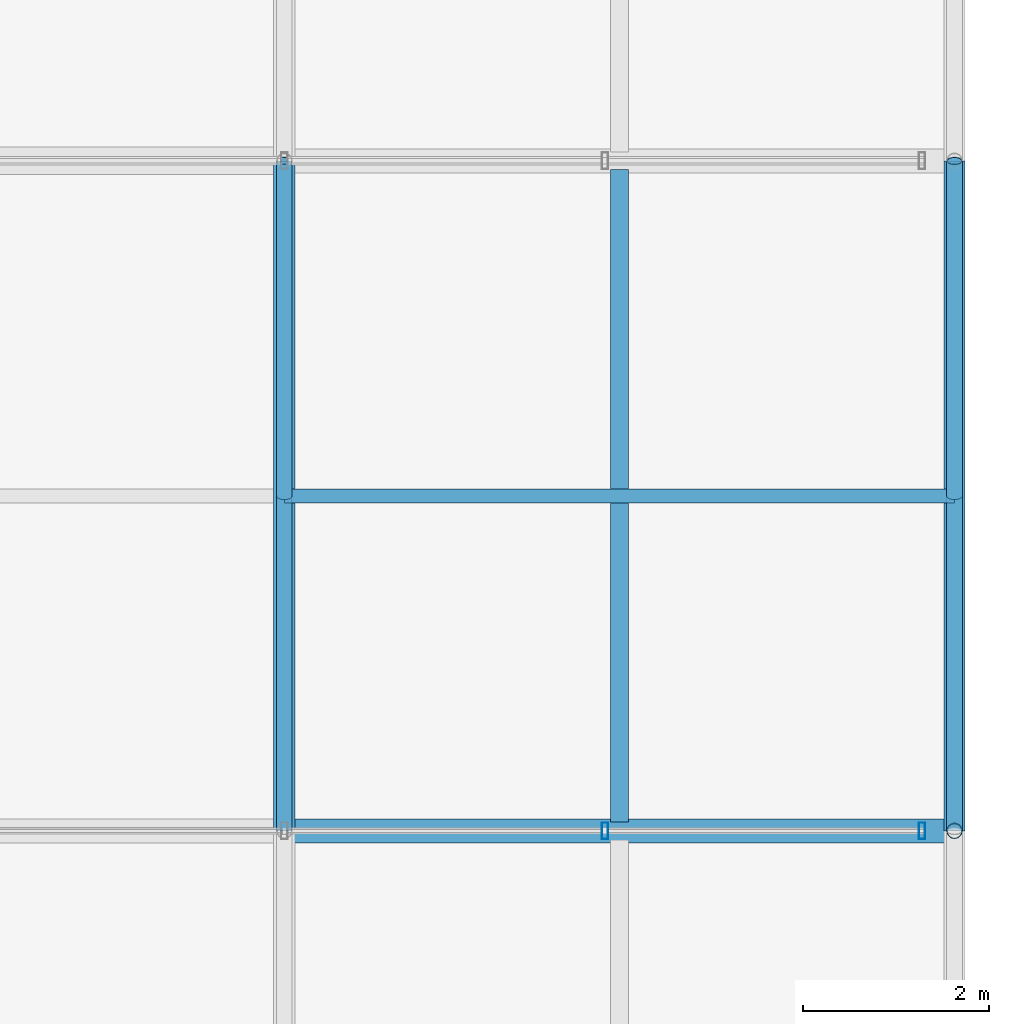
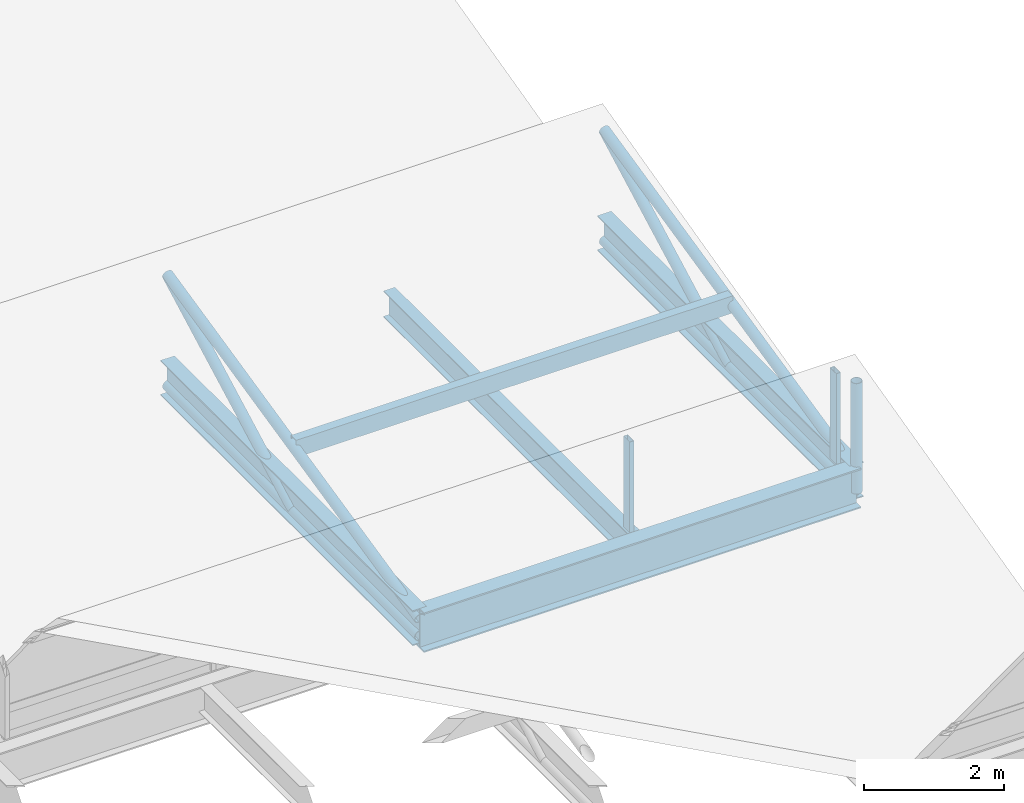
# One storey, part 63 of 144: 10 members, 4 beams, 1 element without a shape of its own.
"""IFC4 building model written with IfcOpenShell, lengths in metres."""

from ifc_helpers import new_model, si_unit, direction, frame, origin, origin_2d, place, context, subcontext, project, spatial, hollow_rectangle, hollow_circle, i_section, extrude, material, material_profile, profile_set, type_object, element, aggregate, save


model = new_model("IFC4")

# Units and contexts
model_context = context("Model", 3, precision=1e-05, world=origin(), true_north=direction((0.0, 1.0)))
body_context = subcontext(model_context, "Body", "Model", "MODEL_VIEW")
ifc_project = project(units=[si_unit("LENGTHUNIT", "METRE"), si_unit("AREAUNIT", "SQUARE_METRE"), si_unit("VOLUMEUNIT", "CUBIC_METRE"), si_unit("PLANEANGLEUNIT", "RADIAN"), si_unit("MASSUNIT", "GRAM", prefix="KILO")], contexts=[model_context])

# Site, building, storey
site_placement = place(None, origin())
site = spatial("IfcSite", under=ifc_project, at=site_placement, CompositionType="ELEMENT")
building_placement = place(site_placement, origin())
building = spatial("IfcBuilding", under=site, at=building_placement, Name="Yarey Park Central Fire Station", CompositionType="ELEMENT")
storey_placement = place(building_placement, frame((0.0, 0.0, 10.199951171875)))
storey = spatial("IfcBuildingStorey", under=building, at=storey_placement, Name="L03", CompositionType="ELEMENT", Elevation=10.199951171875)

# Curtain wall, members
ifc_material_1 = material(Name="Anodized Aluminium Frame", Category="aluminium")
curtain_wall_type = type_object("IfcCurtainWallType", Name="ENV_CW_SAW_18", PredefinedType="NOTDEFINED", material=ifc_material_1)
curtain_wall_placement = place(storey_placement, origin())
curtain_wall = element("IfcCurtainWall", 1, at=curtain_wall_placement, inside=storey, type_object=curtain_wall_type, Name="CW_L03_SAW_2_2", PredefinedType="NOTDEFINED")
ifc_material_profile_1 = material_profile(ifc_material_1, hollow_rectangle(XDim=0.070068359375, YDim=0.179931640625, WallThickness=0.00390625, at=origin_2d()), Name="ALU 180x70x4")
ifc_profile_set_1 = profile_set([ifc_material_profile_1], Name="Anodized Aluminium Frame")
member_type_1 = type_object("IfcMemberType", Name="ENV_CW_MULLION", PredefinedType="MULLION", material=ifc_profile_set_1)
member_1_placement = place(storey_placement, frame((165.25, 57.60009765625, 0.0), z_axis=(0.0, 0.0, 1.0), x_axis=(1.0, 0.0, 0.0)))
member_1 = element("IfcMember", 2, at=member_1_placement, type_object=member_type_1, Name="CW_L03_SAW_2_2_MUL1", PredefinedType="MULLION", context=body_context, shape_type="SweptSolid", body=[
    extrude(hollow_rectangle(XDim=0.070068359375, YDim=0.179931640625, WallThickness=0.00390625, at=origin_2d()), origin(), (0.0, 0.0, 1.0), 1.580078125),
])
member_2_placement = place(storey_placement, frame((161.844970703125, 57.60009765625, 0.0), z_axis=(0.0, 0.0, 1.0), x_axis=(1.0, 0.0, 0.0)))
member_2 = element("IfcMember", 3, at=member_2_placement, type_object=member_type_1, Name="CW_L03_SAW_2_2_MUL2", PredefinedType="MULLION", context=body_context, shape_type="SweptSolid", body=[
    extrude(hollow_rectangle(XDim=0.070068359375, YDim=0.179931640625, WallThickness=0.00390625, at=origin_2d()), origin(), (0.0, 0.0, 1.0), 1.580078125),
])
aggregate(curtain_wall, [member_1, member_2])

# Beams
ifc_material_2 = material(Name="Steel ASTM A992 Gr. 50", Category="steel")
ifc_material_profile_2 = material_profile(ifc_material_2, i_section(OverallWidth=0.22900390625, OverallDepth=0.612060546875, WebThickness=0.011962890625, FlangeThickness=0.01953125, at=origin_2d()), Name="W610x125")
ifc_profile_set_2 = profile_set([ifc_material_profile_2], Name="Steel ASTM A992 Gr. 50")
beam_type_1 = type_object("IfcBeamType", Name="STR_BM_W610", PredefinedType="BEAM", material=ifc_profile_set_2)
for number, where, z_axis, x_axis, name in (
    (4, (158.39990234375, 57.60009765625, -0.48583984375), (0.0, 1.0, 0.0), (-1.0, 0.0, 0.0), "BMY L03 X1584 Y576"),
    (5, (165.60009765625, 57.60009765625, -0.48583984375), (0.0, 1.0, 0.0), (-1.0, 0.0, 0.0), "BMY L03 X1656 Y576"),
):
    element("IfcBeam", number, at=place(storey_placement, frame(where, z_axis=z_axis, x_axis=x_axis)), inside=storey, type_object=beam_type_1, Name=name, PredefinedType="BEAM", context=body_context, shape_type="SweptSolid", body=[
        extrude(i_section(OverallWidth=0.22900390625, OverallDepth=0.612060546875, WebThickness=0.011962890625, FlangeThickness=0.01953125, at=origin_2d()), origin(), (0.0, 0.0, 1.0), 7.199951171875),
    ])
ifc_material_profile_3 = material_profile(ifc_material_2, i_section(OverallWidth=0.256103515625, OverallDepth=0.693115234375, WebThickness=0.014404296875, FlangeThickness=0.023681640625, at=origin_2d()), Name="W690x170")
ifc_profile_set_3 = profile_set([ifc_material_profile_3], Name="Steel ASTM A992 Gr. 50")
beam_type_2 = type_object("IfcBeamType", Name="STR_BM_W690", PredefinedType="BEAM", material=ifc_profile_set_3)
beam_1_placement = place(storey_placement, frame((158.39990234375, 57.60009765625, -0.5263671875), z_axis=(1.0, 0.0, 0.0), x_axis=(0.0, 1.0, 0.0)))
element("IfcBeam", 6, at=beam_1_placement, inside=storey, type_object=beam_type_2, Name="BMX L03 Y576 X1584", PredefinedType="BEAM", context=body_context, shape_type="SweptSolid", body=[
    extrude(i_section(OverallWidth=0.256103515625, OverallDepth=0.693115234375, WebThickness=0.014404296875, FlangeThickness=0.023681640625, at=origin_2d()), origin(), (0.0, 0.0, 1.0), 7.2001953125),
])

# Members
ifc_material_3 = material(Name="Steel ASTM A500 Gr. C", Category="steel")
ifc_material_profile_4 = material_profile(ifc_material_3, hollow_circle(Radius=0.084228515625, WallThickness=0.008056640625, at=origin_2d()), Name="CHS 168.3x8")
ifc_profile_set_4 = profile_set([ifc_material_profile_4], Name="Steel ASTM A500 Gr. C")
member_type_2 = type_object("IfcMemberType", Name="STR_CHORD_CHS168", PredefinedType="CHORD", material=ifc_profile_set_4)
member_3_placement = place(storey_placement, frame((158.39990234375, 57.60009765625, -0.64990234375), z_axis=(0.0, 1.0, 0.0), x_axis=(-1.0, 0.0, 0.0)))
element("IfcMember", 7, at=member_3_placement, inside=storey, type_object=member_type_2, Name="SAW_T3_B3_BC", PredefinedType="CHORD", context=body_context, shape_type="SweptSolid", body=[
    extrude(hollow_circle(Radius=0.084228515625, WallThickness=0.008056640625, at=origin_2d()), origin(), (0.0, 0.0, 1.0), 7.199951171875),
])
member_4_placement = place(storey_placement, frame((158.39990234375, 57.60009765625, -0.349853515625), z_axis=(0.0, 0.975464150349, 0.220158332533), x_axis=(-1.0, 0.0, 0.0)))
element("IfcMember", 8, at=member_4_placement, inside=storey, type_object=member_type_2, Name="SAW_T3_B3_TC", PredefinedType="CHORD", context=body_context, shape_type="SweptSolid", body=[
    extrude(hollow_circle(Radius=0.084228515625, WallThickness=0.008056640625, at=origin_2d()), origin(), (0.0, 0.0, 1.0), 7.381103515625),
])
member_5_placement = place(storey_placement, frame((165.60009765625, 57.60009765625, -0.64990234375), z_axis=(0.0, 1.0, 0.0), x_axis=(-1.0, 0.0, 0.0)))
element("IfcMember", 9, at=member_5_placement, inside=storey, type_object=member_type_2, Name="SAW_T4_B3_BC", PredefinedType="CHORD", context=body_context, shape_type="SweptSolid", body=[
    extrude(hollow_circle(Radius=0.084228515625, WallThickness=0.008056640625, at=origin_2d()), origin(), (0.0, 0.0, 1.0), 7.199951171875),
])
member_6_placement = place(storey_placement, frame((165.60009765625, 57.60009765625, -0.349853515625), z_axis=(0.0, 0.975464150349, 0.220158332533), x_axis=(-1.0, 0.0, 0.0)))
element("IfcMember", 10, at=member_6_placement, inside=storey, type_object=member_type_2, Name="SAW_T4_B3_TC", PredefinedType="CHORD", context=body_context, shape_type="SweptSolid", body=[
    extrude(hollow_circle(Radius=0.084228515625, WallThickness=0.008056640625, at=origin_2d()), origin(), (0.0, 0.0, 1.0), 7.381103515625),
])

# Beam
ifc_material_profile_5 = material_profile(ifc_material_2, i_section(OverallWidth=0.18994140625, OverallDepth=0.45703125, WebThickness=0.009033203125, FlangeThickness=0.014404296875, at=origin_2d()), Name="W460x74")
ifc_profile_set_5 = profile_set([ifc_material_profile_5], Name="Steel ASTM A992 Gr. 50")
beam_type_3 = type_object("IfcBeamType", Name="STR_JST_W460", PredefinedType="JOIST", material=ifc_profile_set_5)
beam_2_placement = place(storey_placement, frame((162.0, 57.695068359375, -0.408447265625), z_axis=(0.0, 1.0, 0.0), x_axis=(-1.0, 0.0, 0.0)))
element("IfcBeam", 11, at=beam_2_placement, inside=storey, type_object=beam_type_3, Name="JST L03 X1620 Y576", PredefinedType="JOIST", context=body_context, shape_type="SweptSolid", body=[
    extrude(i_section(OverallWidth=0.18994140625, OverallDepth=0.45703125, WebThickness=0.009033203125, FlangeThickness=0.014404296875, at=origin_2d()), origin(), (0.0, 0.0, 1.0), 7.010009765625),
])

# Members
ifc_material_profile_6 = material_profile(ifc_material_3, hollow_rectangle(XDim=0.14990234375, YDim=0.300048828125, WallThickness=0.010009765625, at=origin_2d()), Name="HSS 300x150x10")
ifc_profile_set_6 = profile_set([ifc_material_profile_6], Name="Steel ASTM A500 Gr. C")
member_type_3 = type_object("IfcMemberType", Name="STR_PUR_HSS300", PredefinedType="PURLIN", material=ifc_profile_set_6)
member_7_placement = place(storey_placement, frame((158.39990234375, 61.199951171875, 0.462646484375), z_axis=(1.0, 0.0, 0.0), x_axis=(0.0, 1.0, 0.0)))
element("IfcMember", 12, at=member_7_placement, inside=storey, type_object=member_type_3, Name="SAW_PUR_3_B3", PredefinedType="PURLIN", context=body_context, shape_type="SweptSolid", body=[
    extrude(hollow_rectangle(XDim=0.14990234375, YDim=0.300048828125, WallThickness=0.010009765625, at=origin_2d()), origin(), (0.0, 0.0, 1.0), 7.2001953125),
])
ifc_material_profile_7 = material_profile(ifc_material_3, hollow_circle(Radius=0.084228515625, WallThickness=0.008056640625, at=origin_2d()), Name="CHS 168.3x8")
ifc_profile_set_7 = profile_set([ifc_material_profile_7], Name="Steel ASTM A500 Gr. C")
member_type_4 = type_object("IfcMemberType", Name="STR_WEB_CHS168", PredefinedType="BRACE", material=ifc_profile_set_7)
member_8_placement = place(storey_placement, frame((158.39990234375, 61.199951171875, -0.64990234375), z_axis=(0.0, 0.881844210833, 0.471540865483), x_axis=(-1.0, 0.0, 0.0)))
element("IfcMember", 13, at=member_8_placement, inside=storey, type_object=member_type_4, Name="SAW_T3_B3_DG", PredefinedType="BRACE", context=body_context, shape_type="SweptSolid", body=[
    extrude(hollow_circle(Radius=0.084228515625, WallThickness=0.008056640625, at=origin_2d()), origin(), (0.0, 0.0, 1.0), 4.08251953125),
])
member_9_placement = place(storey_placement, frame((165.60009765625, 57.60009765625, -0.64990234375), z_axis=(0.0, 0.0, 1.0), x_axis=(1.0, 0.0, 0.0)))
element("IfcMember", 14, at=member_9_placement, inside=storey, type_object=member_type_4, Name="SAW_T4_B2_VT", PredefinedType="BRACE", context=body_context, shape_type="SweptSolid", body=[
    extrude(hollow_circle(Radius=0.084228515625, WallThickness=0.008056640625, at=origin_2d()), origin(), (0.0, 0.0, 1.0), 1.925048828125),
])
member_10_placement = place(storey_placement, frame((165.60009765625, 61.199951171875, -0.64990234375), z_axis=(0.0, 0.881844210833, 0.471540865483), x_axis=(-1.0, 0.0, 0.0)))
element("IfcMember", 15, at=member_10_placement, inside=storey, type_object=member_type_4, Name="SAW_T4_B3_DG", PredefinedType="BRACE", context=body_context, shape_type="SweptSolid", body=[
    extrude(hollow_circle(Radius=0.084228515625, WallThickness=0.008056640625, at=origin_2d()), origin(), (0.0, 0.0, 1.0), 4.08251953125),
])

save(model, "model.ifc")
